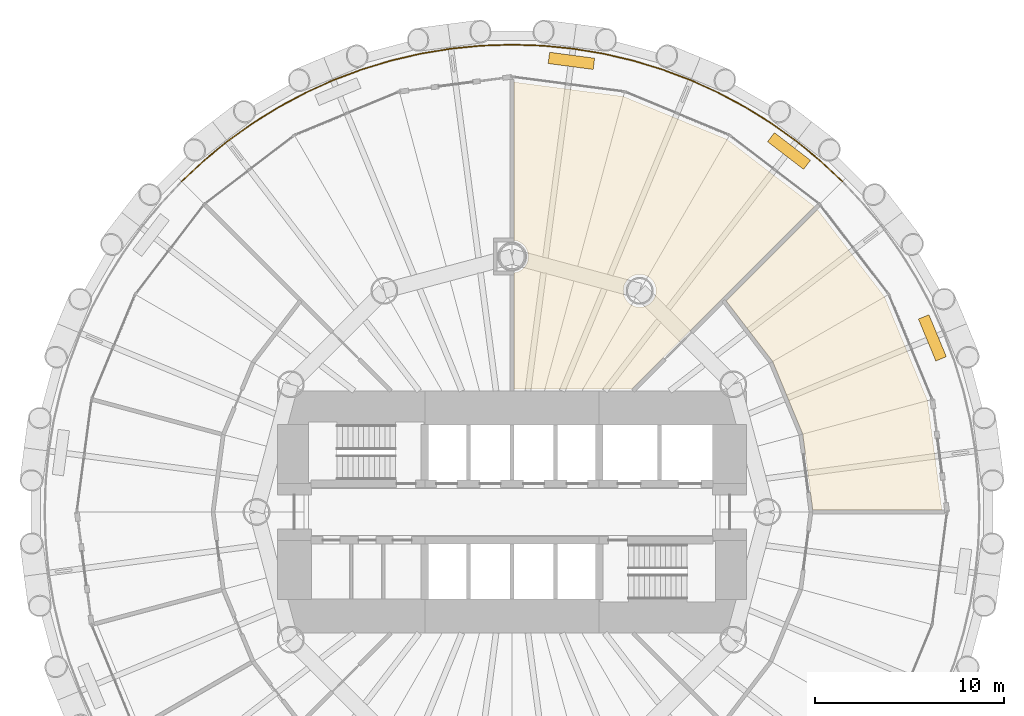
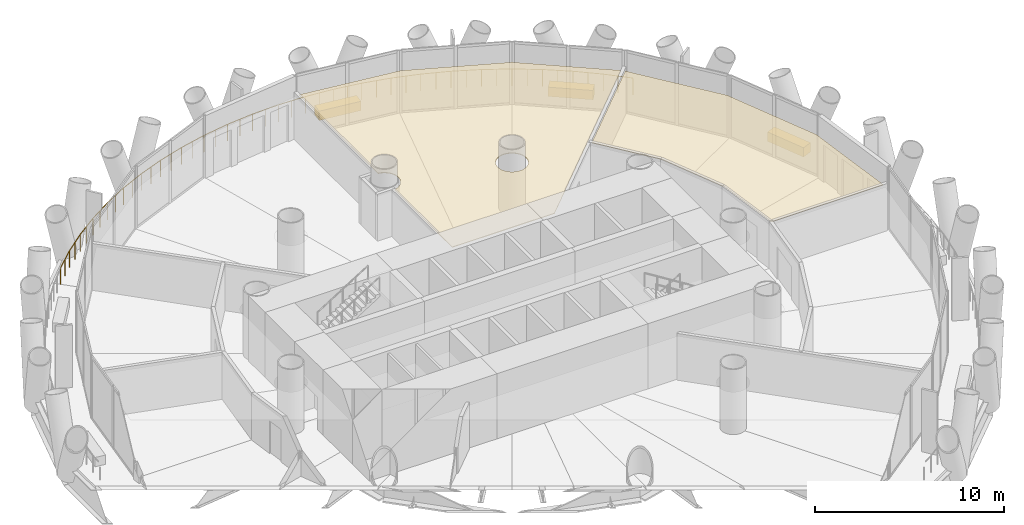
# One storey, part 14 of 14: 5 coverings, 1 railing.
"""IFC4 building model written with IfcOpenShell, lengths in metres."""

from ifc_helpers import new_model, si_unit, direction, frame, origin, origin_2d, place, context, subcontext, project, spatial, polyline, rectangle, circle, outline, extrude, material, layer, layer_set, type_object, element, save


model = new_model("IFC4")

# Units and contexts
model_context = context("Model", 3, precision=1e-05, world=origin(), true_north=direction((0.0, 1.0)))
body_context = subcontext(model_context, "Body", "Model", "MODEL_VIEW")
ifc_project = project(units=[si_unit("LENGTHUNIT", "METRE"), si_unit("AREAUNIT", "SQUARE_METRE"), si_unit("VOLUMEUNIT", "CUBIC_METRE"), si_unit("PLANEANGLEUNIT", "RADIAN"), si_unit("MASSUNIT", "GRAM", prefix="KILO")], contexts=[model_context])

# Site, building, storey
site_placement = place(None, origin())
site = spatial("IfcSite", under=ifc_project, at=site_placement, CompositionType="ELEMENT")
building_placement = place(site_placement, origin())
building = spatial("IfcBuilding", under=site, at=building_placement, Name="Qaws Media Tower", CompositionType="ELEMENT")
storey_placement = place(building_placement, frame((0.0, 0.0, 68.0)))
storey = spatial("IfcBuildingStorey", under=building, at=storey_placement, Name="L14", CompositionType="ELEMENT", Elevation=68.0)

# Coverings
ifc_material_1 = material(Name="40 perforated acoustic panels with mineral wool backing, suspended", Category="mineral fibre")
ifc_layer_1 = layer(ifc_material_1, 0.0400390625)
ifc_layer_set_1 = layer_set([ifc_layer_1], Name="Acoustic panel ceiling 40")
covering_type_1 = type_object("IfcCoveringType", Name="Acoustic panel ceiling 40", PredefinedType="CEILING", material=ifc_layer_set_1)
covering_1_placement = place(storey_placement, frame((0.0, 0.0, 2.85009765625)))
element("IfcCovering", 1, at=covering_1_placement, inside=storey, type_object=covering_type_1, Name="CL3 ceiling L14-02 Digital desk", PredefinedType="CEILING", context=body_context, shape_type="SweptSolid", body=[
    extrude(outline(polyline([(79.689208984375, 61.36767578125), (81.960693359375, 55.88427734375), (82.720458984375, 50.112548828125), (75.898681640625, 50.112548828125), (75.37109375, 54.11865234375), (73.781494140625, 57.956787109375), (71.321533203125, 61.16259765625), (76.145263671875, 65.986083984375), (79.689208984375, 61.36767578125)])), origin(), (0.0, 0.0, 1.0), 0.039794921875),
])
covering_2_placement = place(storey_placement, frame((0.0, 0.0, 2.85009765625)))
element("IfcCovering", 2, at=covering_2_placement, inside=storey, type_object=covering_type_1, Name="CL3 ceiling L14-03 Digital desk", PredefinedType="CEILING", context=body_context, shape_type="SweptSolid", body=[
    extrude(outline(polyline([(65.88427734375, 71.960693359375), (71.36767578125, 69.689208984375), (75.986083984375, 66.145263671875), (66.353515625, 56.512451171875), (60.112548828125, 56.512451171875), (60.112548828125, 62.636474609375), (60.225341796875, 62.65869140625), (60.333251953125, 62.6953125), (60.435546875, 62.74560546875), (60.5302734375, 62.80908203125), (60.615966796875, 62.884033203125), (60.69091796875, 62.9697265625), (60.75439453125, 63.064453125), (60.8046875, 63.166748046875), (60.84130859375, 63.274658203125), (60.863525390625, 63.38623046875), (60.87109375, 63.5), (60.863525390625, 63.61376953125), (60.84130859375, 63.725341796875), (60.8046875, 63.833251953125), (60.75439453125, 63.935546875), (60.69091796875, 64.0302734375), (60.615966796875, 64.115966796875), (60.5302734375, 64.19091796875), (60.435546875, 64.25439453125), (60.333251953125, 64.3046875), (60.225341796875, 64.34130859375), (60.112548828125, 64.363525390625), (60.112548828125, 72.720458984375), (65.88427734375, 71.960693359375)]), holes=[polyline([(67.5546875, 61.35791015625), (67.59130859375, 61.4658203125), (67.613525390625, 61.57763671875), (67.62109375, 61.69140625), (67.613525390625, 61.804931640625), (67.59130859375, 61.916748046875), (67.5546875, 62.024658203125), (67.50439453125, 62.126708984375), (67.44091796875, 62.2216796875), (67.365966796875, 62.30712890625), (67.2802734375, 62.38232421875), (67.185546875, 62.44580078125), (67.083251953125, 62.49609375), (66.975341796875, 62.53271484375), (66.86376953125, 62.554931640625), (66.75, 62.562255859375), (66.63623046875, 62.554931640625), (66.524658203125, 62.53271484375), (66.416748046875, 62.49609375), (66.314453125, 62.44580078125), (66.2197265625, 62.38232421875), (66.134033203125, 62.30712890625), (66.05908203125, 62.2216796875), (65.99560546875, 62.126708984375), (65.9453125, 62.024658203125), (65.90869140625, 61.916748046875), (65.886474609375, 61.804931640625), (65.87890625, 61.69140625), (65.886474609375, 61.57763671875), (65.90869140625, 61.4658203125), (65.9453125, 61.35791015625), (65.99560546875, 61.255859375), (66.05908203125, 61.1611328125), (66.134033203125, 61.075439453125), (66.2197265625, 61.000244140625), (66.314453125, 60.93701171875), (66.416748046875, 60.88671875), (66.524658203125, 60.85009765625), (66.63623046875, 60.827880859375), (66.75, 60.8203125), (66.86376953125, 60.827880859375), (66.975341796875, 60.85009765625), (67.083251953125, 60.88671875), (67.185546875, 60.93701171875), (67.2802734375, 61.000244140625), (67.365966796875, 61.075439453125), (67.44091796875, 61.1611328125), (67.50439453125, 61.255859375), (67.5546875, 61.35791015625)])]), origin(), (0.0, 0.0, 1.0), 0.039794921875),
])

# Railing
ifc_material_2 = material(Name="Stainless steel and glass guard", Category="steel")
railing_type = type_object("IfcRailingType", Name="Balcony guard 1100", PredefinedType="GUARDRAIL", material=ifc_material_2)
railing_placement = place(storey_placement, frame((77.465576171875, 67.465576171875, 0.0)))
element("IfcRailing", 3, at=railing_placement, inside=storey, type_object=railing_type, Name="GR1 balcony guard L14-1", PredefinedType="GUARDRAIL", context=body_context, shape_type="SweptSolid", body=[
    extrude(circle(Radius=0.02392578125, at=origin_2d()), frame((0.0, 0.0, 1.076171875), z_axis=(-0.729838590748, 0.683619507807, 0.0), x_axis=(-0.683619507807, -0.729838590748, 0.0)), (0.0, 0.0, 1.0), 1.616455078125),
    extrude(circle(Radius=0.02392578125, at=origin_2d()), frame((-1.1796875, 1.10498046875, 1.076171875), z_axis=(-0.773027789123, 0.63437215989, 0.0), x_axis=(-0.63437215989, -0.773027789123, 0.0)), (0.0, 0.0, 1.0), 1.616455078125),
    extrude(circle(Radius=0.02392578125, at=origin_2d()), frame((-2.42919921875, 2.13037109375, 1.076171875), z_axis=(-0.81284454393, 0.582480684147, 0.0), x_axis=(-0.582480684147, -0.81284454393, 0.0)), (0.0, 0.0, 1.0), 1.6162109375),
    extrude(circle(Radius=0.02392578125, at=origin_2d()), frame((-3.742919921875, 3.07177734375, 1.076171875), z_axis=(-0.849201115053, 0.528069565675, 0.0), x_axis=(-0.528069565675, -0.849201115053, 0.0)), (0.0, 0.0, 1.0), 1.6162109375),
    extrude(circle(Radius=0.02392578125, at=origin_2d()), frame((-5.115478515625, 3.92529296875, 1.076171875), z_axis=(-0.881921925102, 0.471395500641, 0.0), x_axis=(-0.471395500641, -0.881921925102, 0.0)), (0.0, 0.0, 1.0), 1.616455078125),
    extrude(circle(Radius=0.02392578125, at=origin_2d()), frame((-6.541015625, 4.687255859375, 1.076171875), z_axis=(-0.910872765831, 0.412687296227, 0.0), x_axis=(-0.412687296227, -0.910872765831, 0.0)), (0.0, 0.0, 1.0), 1.6162109375),
    extrude(circle(Radius=0.02392578125, at=origin_2d()), frame((-8.01318359375, 5.354248046875, 1.076171875), z_axis=(-0.935925126575, 0.352199031011, 0.0), x_axis=(-0.352199031011, -0.935925126575, 0.0)), (0.0, 0.0, 1.0), 1.616455078125),
    extrude(circle(Radius=0.02392578125, at=origin_2d()), frame((-9.526123046875, 5.923583984375, 1.076171875), z_axis=(-0.956927798723, 0.290326003022, 0.0), x_axis=(-0.290326003022, -0.956927798723, 0.0)), (0.0, 0.0, 1.0), 1.6162109375),
    extrude(circle(Radius=0.02392578125, at=origin_2d()), frame((-11.07275390625, 6.392822265625, 1.076171875), z_axis=(-0.973884647587, 0.227043372937, 0.0), x_axis=(-0.227043372937, -0.973884647587, 0.0)), (0.0, 0.0, 1.0), 1.6162109375),
    extrude(circle(Radius=0.02392578125, at=origin_2d()), frame((-12.646728515625, 6.759765625, 1.076171875), z_axis=(-0.986633686094, 0.16295388754, 0.0), x_axis=(-0.16295388754, -0.986633686094, 0.0)), (0.0, 0.0, 1.0), 1.61669921875),
    extrude(circle(Radius=0.02392578125, at=origin_2d()), frame((-14.24169921875, 7.023193359375, 1.076171875), z_axis=(-0.995182683651, 0.098037881252, 0.0), x_axis=(-0.098037881252, -0.995182683651, 0.0)), (0.0, 0.0, 1.0), 1.6162109375),
    extrude(circle(Radius=0.02392578125, at=origin_2d()), frame((-15.85009765625, 7.181640625, 1.076171875), z_axis=(-0.999467636434, 0.032625813733, 0.0), x_axis=(-0.032625813733, -0.999467636434, 0.0)), (0.0, 0.0, 1.0), 1.616455078125),
    extrude(circle(Radius=0.02392578125, at=origin_2d()), frame((-17.465576171875, 7.234375, 1.076171875), z_axis=(-0.999467636434, -0.032625813733, 0.0), x_axis=(0.032625813733, -0.999467636434, 0.0)), (0.0, 0.0, 1.0), 1.616455078125),
    extrude(circle(Radius=0.02392578125, at=origin_2d()), frame((-19.0810546875, 7.181640625, 1.076171875), z_axis=(-0.995182683651, -0.098037881252, 0.0), x_axis=(0.098037881252, -0.995182683651, 0.0)), (0.0, 0.0, 1.0), 1.6162109375),
    extrude(circle(Radius=0.02392578125, at=origin_2d()), frame((-20.689453125, 7.023193359375, 1.076171875), z_axis=(-0.986633686094, -0.16295388754, 0.0), x_axis=(0.16295388754, -0.986633686094, 0.0)), (0.0, 0.0, 1.0), 1.61669921875),
    extrude(circle(Radius=0.02392578125, at=origin_2d()), frame((-22.284423828125, 6.759765625, 1.076171875), z_axis=(-0.973884647587, -0.227043372937, 0.0), x_axis=(0.227043372937, -0.973884647587, 0.0)), (0.0, 0.0, 1.0), 1.6162109375),
    extrude(circle(Radius=0.02392578125, at=origin_2d()), frame((-23.8583984375, 6.392822265625, 1.076171875), z_axis=(-0.956927798723, -0.290326003022, 0.0), x_axis=(0.290326003022, -0.956927798723, 0.0)), (0.0, 0.0, 1.0), 1.6162109375),
    extrude(circle(Radius=0.02392578125, at=origin_2d()), frame((-25.405029296875, 5.923583984375, 1.076171875), z_axis=(-0.935925126575, -0.352199031011, 0.0), x_axis=(0.352199031011, -0.935925126575, 0.0)), (0.0, 0.0, 1.0), 1.616455078125),
    extrude(circle(Radius=0.02392578125, at=origin_2d()), frame((-26.91796875, 5.354248046875, 1.076171875), z_axis=(-0.910872765831, -0.412687296227, 0.0), x_axis=(0.412687296227, -0.910872765831, 0.0)), (0.0, 0.0, 1.0), 1.6162109375),
    extrude(circle(Radius=0.02392578125, at=origin_2d()), frame((-28.39013671875, 4.687255859375, 1.076171875), z_axis=(-0.881921925102, -0.471395500641, 0.0), x_axis=(0.471395500641, -0.881921925102, 0.0)), (0.0, 0.0, 1.0), 1.616455078125),
    extrude(circle(Radius=0.02392578125, at=origin_2d()), frame((-29.815673828125, 3.92529296875, 1.076171875), z_axis=(-0.849201115053, -0.528069565675, 0.0), x_axis=(0.528069565675, -0.849201115053, 0.0)), (0.0, 0.0, 1.0), 1.6162109375),
    extrude(circle(Radius=0.02392578125, at=origin_2d()), frame((-31.188232421875, 3.07177734375, 1.076171875), z_axis=(-0.81284454393, -0.582480684147, 0.0), x_axis=(0.582480684147, -0.81284454393, 0.0)), (0.0, 0.0, 1.0), 1.6162109375),
    extrude(circle(Radius=0.02392578125, at=origin_2d()), frame((-32.501953125, 2.13037109375, 1.076171875), z_axis=(-0.773027789123, -0.63437215989, 0.0), x_axis=(0.63437215989, -0.773027789123, 0.0)), (0.0, 0.0, 1.0), 1.616455078125),
    extrude(circle(Radius=0.02392578125, at=origin_2d()), frame((-33.75146484375, 1.10498046875, 1.076171875), z_axis=(-0.729838590748, -0.683619507807, 0.0), x_axis=(0.683619507807, -0.729838590748, 0.0)), (0.0, 0.0, 1.0), 1.616455078125),
    extrude(circle(Radius=0.02099609375, at=origin_2d()), origin(), (0.0, 0.0, 1.0), 1.052001953125),
    extrude(circle(Radius=0.02099609375, at=origin_2d()), frame((-0.58984375, 0.552490234375, 0.0)), (0.0, 0.0, 1.0), 1.052001953125),
    extrude(circle(Radius=0.02099609375, at=origin_2d()), frame((-1.1796875, 1.10498046875, 0.0)), (0.0, 0.0, 1.0), 1.052001953125),
    extrude(circle(Radius=0.02099609375, at=origin_2d()), frame((-1.804443359375, 1.61767578125, 0.0)), (0.0, 0.0, 1.0), 1.052001953125),
    extrude(circle(Radius=0.02099609375, at=origin_2d()), frame((-2.42919921875, 2.13037109375, 0.0)), (0.0, 0.0, 1.0), 1.052001953125),
    extrude(circle(Radius=0.02099609375, at=origin_2d()), frame((-3.0859375, 2.60107421875, 0.0)), (0.0, 0.0, 1.0), 1.052001953125),
    extrude(circle(Radius=0.02099609375, at=origin_2d()), frame((-3.742919921875, 3.07177734375, 0.0)), (0.0, 0.0, 1.0), 1.052001953125),
    extrude(circle(Radius=0.02099609375, at=origin_2d()), frame((-4.42919921875, 3.49853515625, 0.0)), (0.0, 0.0, 1.0), 1.052001953125),
    extrude(circle(Radius=0.02099609375, at=origin_2d()), frame((-5.115478515625, 3.92529296875, 0.0)), (0.0, 0.0, 1.0), 1.052001953125),
    extrude(circle(Radius=0.02099609375, at=origin_2d()), frame((-5.828125, 4.30615234375, 0.0)), (0.0, 0.0, 1.0), 1.052001953125),
    extrude(circle(Radius=0.02099609375, at=origin_2d()), frame((-6.541015625, 4.687255859375, 0.0)), (0.0, 0.0, 1.0), 1.052001953125),
    extrude(circle(Radius=0.02099609375, at=origin_2d()), frame((-7.277099609375, 5.020751953125, 0.0)), (0.0, 0.0, 1.0), 1.052001953125),
    extrude(circle(Radius=0.02099609375, at=origin_2d()), frame((-8.01318359375, 5.354248046875, 0.0)), (0.0, 0.0, 1.0), 1.052001953125),
    extrude(circle(Radius=0.02099609375, at=origin_2d()), frame((-8.76953125, 5.638916015625, 0.0)), (0.0, 0.0, 1.0), 1.052001953125),
    extrude(circle(Radius=0.02099609375, at=origin_2d()), frame((-9.526123046875, 5.923583984375, 0.0)), (0.0, 0.0, 1.0), 1.052001953125),
    extrude(circle(Radius=0.02099609375, at=origin_2d()), frame((-10.29931640625, 6.158203125, 0.0)), (0.0, 0.0, 1.0), 1.052001953125),
    extrude(circle(Radius=0.02099609375, at=origin_2d()), frame((-11.07275390625, 6.392822265625, 0.0)), (0.0, 0.0, 1.0), 1.052001953125),
    extrude(circle(Radius=0.02099609375, at=origin_2d()), frame((-11.85986328125, 6.576171875, 0.0)), (0.0, 0.0, 1.0), 1.052001953125),
    extrude(circle(Radius=0.02099609375, at=origin_2d()), frame((-12.646728515625, 6.759765625, 0.0)), (0.0, 0.0, 1.0), 1.052001953125),
    extrude(circle(Radius=0.02099609375, at=origin_2d()), frame((-13.4443359375, 6.8916015625, 0.0)), (0.0, 0.0, 1.0), 1.052001953125),
    extrude(circle(Radius=0.02099609375, at=origin_2d()), frame((-14.24169921875, 7.023193359375, 0.0)), (0.0, 0.0, 1.0), 1.052001953125),
    extrude(circle(Radius=0.02099609375, at=origin_2d()), frame((-15.0458984375, 7.1025390625, 0.0)), (0.0, 0.0, 1.0), 1.052001953125),
    extrude(circle(Radius=0.02099609375, at=origin_2d()), frame((-15.85009765625, 7.181640625, 0.0)), (0.0, 0.0, 1.0), 1.052001953125),
    extrude(circle(Radius=0.02099609375, at=origin_2d()), frame((-16.65771484375, 7.2080078125, 0.0)), (0.0, 0.0, 1.0), 1.052001953125),
    extrude(circle(Radius=0.02099609375, at=origin_2d()), frame((-17.465576171875, 7.234375, 0.0)), (0.0, 0.0, 1.0), 1.052001953125),
    extrude(circle(Radius=0.02099609375, at=origin_2d()), frame((-18.2734375, 7.2080078125, 0.0)), (0.0, 0.0, 1.0), 1.052001953125),
    extrude(circle(Radius=0.02099609375, at=origin_2d()), frame((-19.0810546875, 7.181640625, 0.0)), (0.0, 0.0, 1.0), 1.052001953125),
    extrude(circle(Radius=0.02099609375, at=origin_2d()), frame((-19.88525390625, 7.1025390625, 0.0)), (0.0, 0.0, 1.0), 1.052001953125),
    extrude(circle(Radius=0.02099609375, at=origin_2d()), frame((-20.689453125, 7.023193359375, 0.0)), (0.0, 0.0, 1.0), 1.052001953125),
    extrude(circle(Radius=0.02099609375, at=origin_2d()), frame((-21.48681640625, 6.8916015625, 0.0)), (0.0, 0.0, 1.0), 1.052001953125),
    extrude(circle(Radius=0.02099609375, at=origin_2d()), frame((-22.284423828125, 6.759765625, 0.0)), (0.0, 0.0, 1.0), 1.052001953125),
    extrude(circle(Radius=0.02099609375, at=origin_2d()), frame((-23.0712890625, 6.576171875, 0.0)), (0.0, 0.0, 1.0), 1.052001953125),
    extrude(circle(Radius=0.02099609375, at=origin_2d()), frame((-23.8583984375, 6.392822265625, 0.0)), (0.0, 0.0, 1.0), 1.052001953125),
    extrude(circle(Radius=0.02099609375, at=origin_2d()), frame((-24.6318359375, 6.158203125, 0.0)), (0.0, 0.0, 1.0), 1.052001953125),
    extrude(circle(Radius=0.02099609375, at=origin_2d()), frame((-25.405029296875, 5.923583984375, 0.0)), (0.0, 0.0, 1.0), 1.052001953125),
    extrude(circle(Radius=0.02099609375, at=origin_2d()), frame((-26.16162109375, 5.638916015625, 0.0)), (0.0, 0.0, 1.0), 1.052001953125),
    extrude(circle(Radius=0.02099609375, at=origin_2d()), frame((-26.91796875, 5.354248046875, 0.0)), (0.0, 0.0, 1.0), 1.052001953125),
    extrude(circle(Radius=0.02099609375, at=origin_2d()), frame((-27.654052734375, 5.020751953125, 0.0)), (0.0, 0.0, 1.0), 1.052001953125),
    extrude(circle(Radius=0.02099609375, at=origin_2d()), frame((-28.39013671875, 4.687255859375, 0.0)), (0.0, 0.0, 1.0), 1.052001953125),
    extrude(circle(Radius=0.02099609375, at=origin_2d()), frame((-29.10302734375, 4.30615234375, 0.0)), (0.0, 0.0, 1.0), 1.052001953125),
    extrude(circle(Radius=0.02099609375, at=origin_2d()), frame((-29.815673828125, 3.92529296875, 0.0)), (0.0, 0.0, 1.0), 1.052001953125),
    extrude(circle(Radius=0.02099609375, at=origin_2d()), frame((-30.501953125, 3.49853515625, 0.0)), (0.0, 0.0, 1.0), 1.052001953125),
    extrude(circle(Radius=0.02099609375, at=origin_2d()), frame((-31.188232421875, 3.07177734375, 0.0)), (0.0, 0.0, 1.0), 1.052001953125),
    extrude(circle(Radius=0.02099609375, at=origin_2d()), frame((-31.84521484375, 2.60107421875, 0.0)), (0.0, 0.0, 1.0), 1.052001953125),
    extrude(circle(Radius=0.02099609375, at=origin_2d()), frame((-32.501953125, 2.13037109375, 0.0)), (0.0, 0.0, 1.0), 1.052001953125),
    extrude(circle(Radius=0.02099609375, at=origin_2d()), frame((-33.126708984375, 1.61767578125, 0.0)), (0.0, 0.0, 1.0), 1.052001953125),
    extrude(circle(Radius=0.02099609375, at=origin_2d()), frame((-33.75146484375, 1.10498046875, 0.0)), (0.0, 0.0, 1.0), 1.052001953125),
    extrude(circle(Radius=0.02099609375, at=origin_2d()), frame((-34.34130859375, 0.552490234375, 0.0)), (0.0, 0.0, 1.0), 1.052001953125),
    extrude(circle(Radius=0.02099609375, at=origin_2d()), frame((-34.93115234375, 0.0, 0.0)), (0.0, 0.0, 1.0), 1.052001953125),
])

# Coverings
ifc_material_3 = material(Name="Precast concrete planter with trailing planting", Category="concrete")
ifc_layer_2 = layer(ifc_material_3, 0.60009765625)
ifc_layer_set_2 = layer_set([ifc_layer_2], Name="Planter 2400x600")
covering_type_2 = type_object("IfcCoveringType", Name="Planter 2400x600", PredefinedType="USERDEFINED", material=ifc_layer_set_2)
for number, where, z_axis, x_axis, name in (
    (4, (82.21923828125, 59.20361328125, 0.0), (0.0, 0.0, 1.0), (-0.382683432365, 0.923879532511, 0.0), "PL1 balcony planter L14-01"),
    (5, (74.640625, 69.080078125, 0.0), (0.0, 0.0, 1.0), (-0.793353340291, 0.608761429009, 0.0), "PL1 balcony planter L14-02"),
    (6, (63.13916015625, 73.84423828125, 0.0), (0.0, 0.0, 1.0), (-0.991444861374, 0.13052619222, 0.0), "PL1 balcony planter L14-03"),
):
    element("IfcCovering", number, at=place(storey_placement, frame(where, z_axis=z_axis, x_axis=x_axis)), inside=storey, type_object=covering_type_2, Name=name, ObjectType="PLANTER", PredefinedType="USERDEFINED", context=body_context, shape_type="SweptSolid", body=[
        extrude(rectangle(XDim=2.39990234375, YDim=0.60009765625, at=origin_2d()), origin(), (0.0, 0.0, 1.0), 0.60009765625),
    ])

save(model, "model.ifc")
